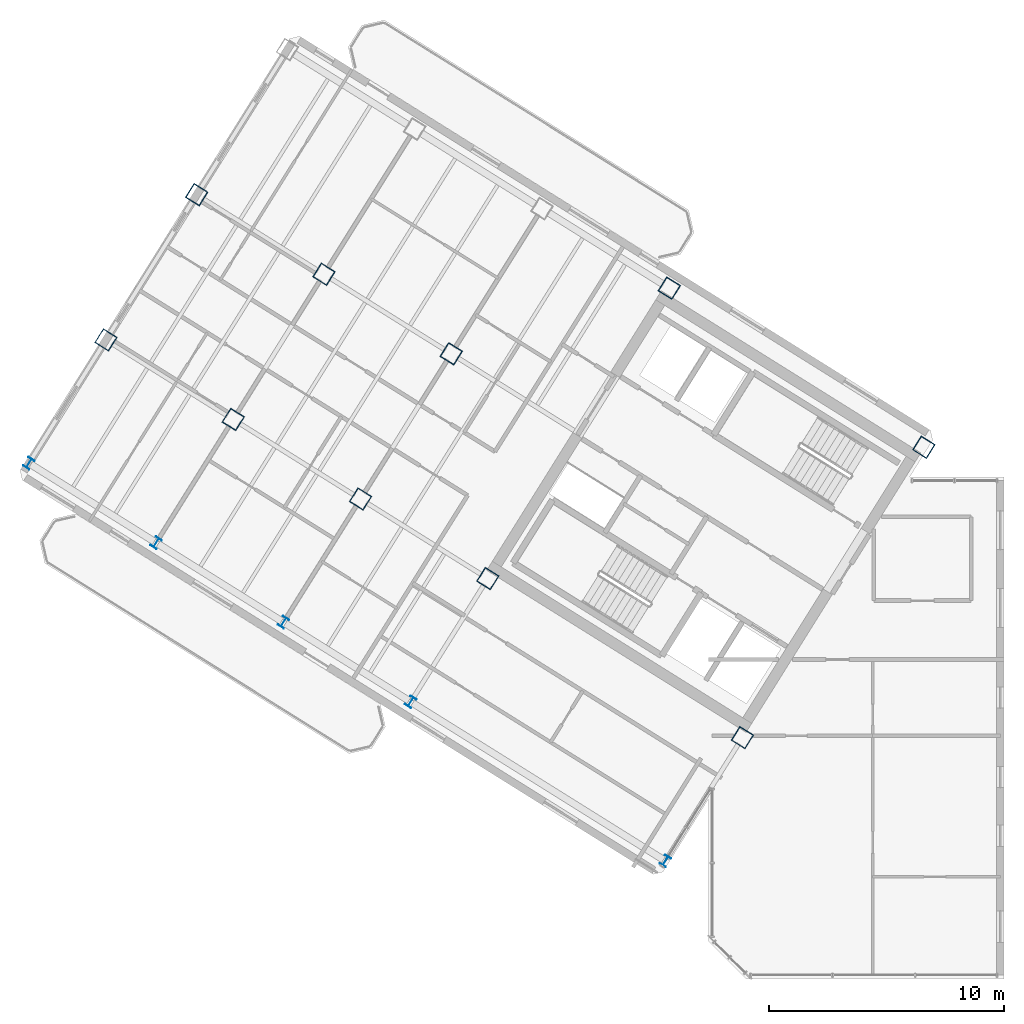
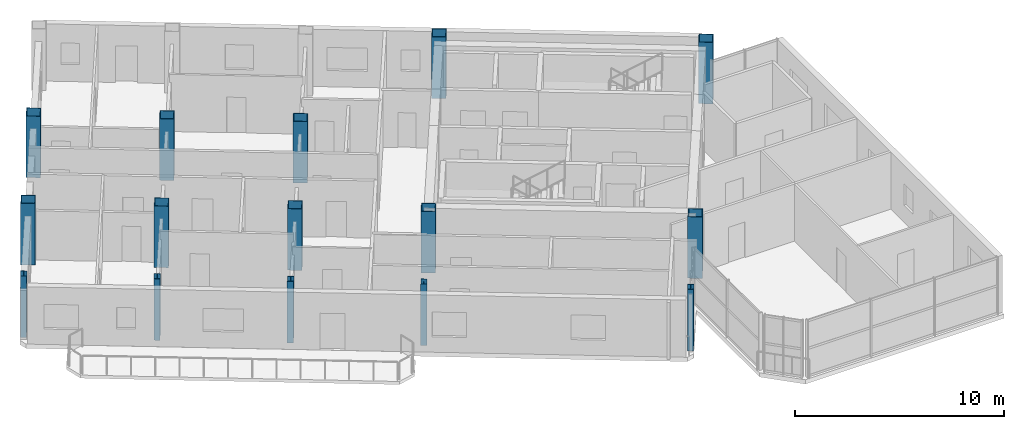
# One storey, part 1 of 14: 15 columns.
"""IFC4 building model written with IfcOpenShell, lengths in metres."""

from ifc_helpers import new_model, si_unit, direction, frame, origin, origin_2d, place, context, subcontext, project, spatial, hollow_rectangle, i_section, extrude, source, transform, mapped, material, material_profile, profile_set, type_object, element, save


model = new_model("IFC4")

# Units and contexts
model_context = context("Model", 3, precision=1e-05, world=origin(), true_north=direction((0.0, 1.0)))
body_context = subcontext(model_context, "Body", "Model", "MODEL_VIEW")
ifc_project = project(units=[si_unit("LENGTHUNIT", "METRE"), si_unit("AREAUNIT", "SQUARE_METRE"), si_unit("VOLUMEUNIT", "CUBIC_METRE"), si_unit("PLANEANGLEUNIT", "RADIAN"), si_unit("MASSUNIT", "GRAM", prefix="KILO")], contexts=[model_context])

# Site, building, storey
site_placement = place(None, origin())
site = spatial("IfcSite", under=ifc_project, at=site_placement, CompositionType="ELEMENT")
building_placement = place(site_placement, origin())
building = spatial("IfcBuilding", under=site, at=building_placement, Name="Tlacorven Tower", CompositionType="ELEMENT")
storey_placement = place(building_placement, frame((0.0, 0.0, 273.60009765625)))
storey = spatial("IfcBuildingStorey", under=building, at=storey_placement, Name="L69", CompositionType="ELEMENT", Elevation=273.60009765625)

# Columns
ifc_material_1 = material(Name="Steel S355J2", Category="steel")
ifc_material_profile_1 = material_profile(ifc_material_1, i_section(OverallWidth=0.300048828125, OverallDepth=0.449951171875, WebThickness=0.013916015625, FlangeThickness=0.02587890625, at=origin_2d()), Name="HEB 450")
ifc_profile_set_1 = profile_set([ifc_material_profile_1], Name="Steel S355J2")
column_type_1 = type_object("IfcColumnType", Name="COL-TWR-P3", PredefinedType="COLUMN", material=ifc_profile_set_1)
shared_shape_1 = source(origin(), body_context, "Body", "SweptSolid", [
    extrude(i_section(OverallWidth=0.300048828125, OverallDepth=0.449951171875, WebThickness=0.013916015625, FlangeThickness=0.02587890625, at=origin_2d()), origin(), (0.0, 0.0, 1.0), 3.599853515625),
])
for number, where, z_axis, x_axis, name in (
    (1, (29.7607421875, 6.8291015625, 0.0), (0.0, 0.0, 1.0), (-0.848048096156, 0.529919264233, 0.0), "L69 column COL-L69-W1-4"),
    (2, (18.905517578125, 13.612060546875, 0.0), (0.0, 0.0, 1.0), (-0.848048096156, 0.529919264233, 0.0), "L69 column COL-L69-W3-4"),
    (3, (13.47802734375, 17.00341796875, 0.0), (0.0, 0.0, 1.0), (-0.848048096156, 0.529919264233, 0.0), "L69 column COL-L69-W4-4"),
    (4, (8.050537109375, 20.39501953125, 0.0), (0.0, 0.0, 1.0), (-0.848048096156, 0.529919264233, 0.0), "L69 column COL-L69-W5-4"),
    (5, (2.623046875, 23.786376953125, 0.0), (0.0, 0.0, 1.0), (-0.848048096156, 0.529919264233, 0.0), "L69 column COL-L69-W6-4"),
):
    element("IfcColumn", number, at=place(storey_placement, frame(where, z_axis=z_axis, x_axis=x_axis)), inside=storey, type_object=column_type_1, Name=name, PredefinedType="COLUMN", context=body_context, shape_type="MappedRepresentation", body=[
        mapped(shared_shape_1, transform((0.0, 0.0, 0.0), scale=1.0)),
    ])
ifc_material_2 = material(Name="Steel S460M", Category="steel")
ifc_material_profile_2 = material_profile(ifc_material_2, hollow_rectangle(XDim=0.699951171875, YDim=0.699951171875, WallThickness=0.028076171875, at=origin_2d()), Name="BOX 700X700X28")
ifc_profile_set_2 = profile_set([ifc_material_profile_2], Name="Steel S460M")
column_type_2 = type_object("IfcColumnType", Name="COL-TWR-S4", PredefinedType="COLUMN", material=ifc_profile_set_2)
shared_shape_2 = source(origin(), body_context, "Body", "SweptSolid", [
    extrude(hollow_rectangle(XDim=0.699951171875, YDim=0.699951171875, WallThickness=0.028076171875, at=origin_2d()), origin(), (0.0, 0.0, 1.0), 3.599853515625),
])
for number, where, z_axis, x_axis, name in (
    (6, (40.782958984375, 24.468505859375, 0.0), (0.0, 0.0, 1.0), (-0.848048096156, 0.529919264233, 0.0), "L69 column COL-L69-W1-1"),
    (7, (33.046142578125, 12.0869140625, 0.0), (0.0, 0.0, 1.0), (-0.848048096156, 0.529919264233, 0.0), "L69 column COL-L69-W1-3"),
    (8, (29.927978515625, 31.25146484375, 0.0), (0.0, 0.0, 1.0), (-0.848048096156, 0.529919264233, 0.0), "L69 column COL-L69-W3-1"),
    (9, (22.191162109375, 18.869873046875, 0.0), (0.0, 0.0, 1.0), (-0.848048096156, 0.529919264233, 0.0), "L69 column COL-L69-W3-3"),
    (10, (20.632080078125, 28.4521484375, 0.0), (0.0, 0.0, 1.0), (-0.848048096156, 0.529919264233, 0.0), "L69 column COL-L69-W4-2"),
    (11, (16.763671875, 22.26123046875, 0.0), (0.0, 0.0, 1.0), (-0.848048096156, 0.529919264233, 0.0), "L69 column COL-L69-W4-3"),
    (12, (15.20458984375, 31.843505859375, 0.0), (0.0, 0.0, 1.0), (-0.848048096156, 0.529919264233, 0.0), "L69 column COL-L69-W5-2"),
    (13, (11.336181640625, 25.65283203125, 0.0), (0.0, 0.0, 1.0), (-0.848048096156, 0.529919264233, 0.0), "L69 column COL-L69-W5-3"),
    (14, (9.777099609375, 35.235107421875, 0.0), (0.0, 0.0, 1.0), (-0.848048096156, 0.529919264233, 0.0), "L69 column COL-L69-W6-2"),
    (15, (5.90869140625, 29.044189453125, 0.0), (0.0, 0.0, 1.0), (-0.848048096156, 0.529919264233, 0.0), "L69 column COL-L69-W6-3"),
):
    element("IfcColumn", number, at=place(storey_placement, frame(where, z_axis=z_axis, x_axis=x_axis)), inside=storey, type_object=column_type_2, Name=name, PredefinedType="COLUMN", context=body_context, shape_type="MappedRepresentation", body=[
        mapped(shared_shape_2, transform((0.0, 0.0, 0.0), scale=1.0)),
    ])

save(model, "model.ifc")
